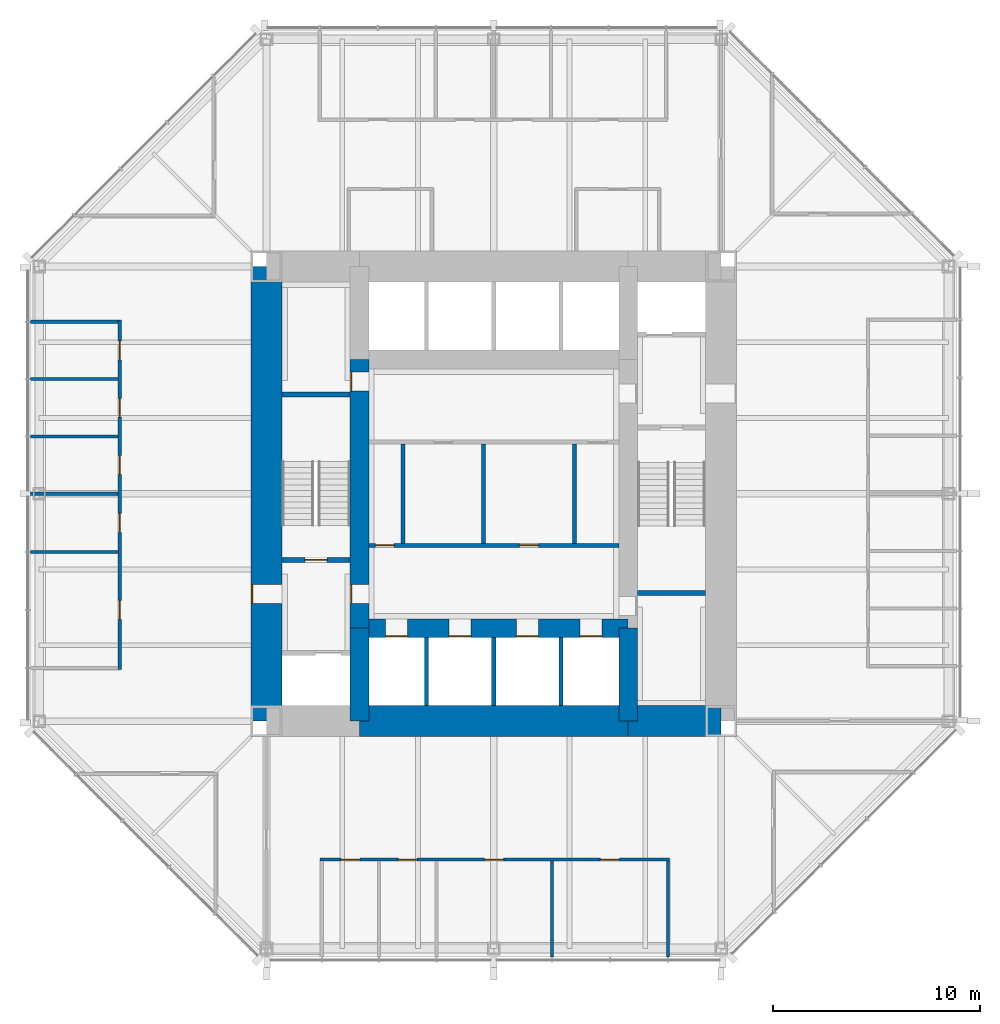
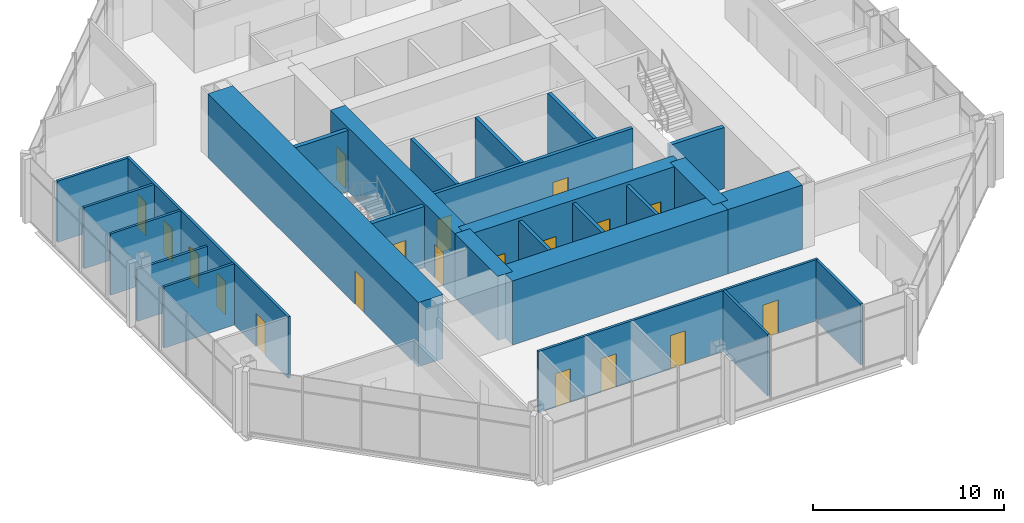
# One storey, part 9 of 12: 26 walls, 19 doors, 19 openings.
"""IFC4 building model written with IfcOpenShell, lengths in metres."""

from ifc_helpers import new_model, si_unit, direction, frame, frame_2d, origin, place, context, subcontext, project, spatial, rectangle, extrude, material, layer, layer_set, type_object, element, fill, save


model = new_model("IFC4")

# Units and contexts
model_context = context("Model", 3, precision=1e-05, world=origin(), true_north=direction((0.0, 1.0)))
body_context = subcontext(model_context, "Body", "Model", "MODEL_VIEW")
ifc_project = project(units=[si_unit("LENGTHUNIT", "METRE"), si_unit("AREAUNIT", "SQUARE_METRE"), si_unit("VOLUMEUNIT", "CUBIC_METRE"), si_unit("PLANEANGLEUNIT", "RADIAN"), si_unit("MASSUNIT", "GRAM", prefix="KILO")], contexts=[model_context])

# Site, building, storey
site_placement = place(None, origin())
site = spatial("IfcSite", under=ifc_project, at=site_placement, CompositionType="ELEMENT")
building_placement = place(site_placement, origin())
building = spatial("IfcBuilding", under=site, at=building_placement, Name="Trevanion Tower", CompositionType="ELEMENT")
storey_placement = place(building_placement, frame((0.0, 0.0, 162.300048828125)))
storey = spatial("IfcBuildingStorey", under=building, at=storey_placement, Name="L38", CompositionType="ELEMENT", Elevation=162.300048828125)

# Wall, opening, door
ifc_material_1 = material(Name="Concrete 10,000 psi", Category="concrete")
ifc_layer_1 = layer(ifc_material_1, 1.5)
ifc_layer_set_1 = layer_set([ifc_layer_1], Name="CW1 core wall 1500")
wall_type_1 = type_object("IfcWallType", Name="CW1 core wall 1500", PredefinedType="SHEAR", material=ifc_layer_set_1)
wall_1_placement = place(storey_placement, frame((-11.0, 11.0, 0.0), z_axis=(0.0, 0.0, 1.0), x_axis=(0.0, -1.0, 0.0)))
wall_1 = element("IfcWall", 1, at=wall_1_placement, inside=storey, type_object=wall_type_1, Name="CW1 CW L38", PredefinedType="SHEAR", context=body_context, shape_type="SweptSolid", body=[
    extrude(rectangle(XDim=22.0, YDim=1.5, at=frame_2d((11.0, 0.0))), origin(), (0.0, 0.0, 1.0), 4.099853515625),
])
opening_1_placement = place(wall_1_placement, frame((15.392578125, 0.0, 0.0)))
opening_1 = element("IfcOpeningElement", 2, at=opening_1_placement, cuts=wall_1, Name="Opening 38-002", PredefinedType="OPENING", context=body_context, shape_type="SweptSolid", body=[
    extrude(rectangle(XDim=0.9150390625, YDim=2.134033203125, at=frame_2d((0.45751953125, 1.06689453125))), frame((0.0, 0.760009765625, 0.0), z_axis=(0.0, -1.0, 0.0), x_axis=(1.0, 0.0, 0.0)), (0.0, 0.0, 1.0), 1.52001953125),
])
ifc_material_2 = material(Name="Hollow metal, fire rated", Category="steel")
door_type_1 = type_object("IfcDoorType", Name="D3 fire lift lobby door", OperationType="SINGLE_SWING_RIGHT", PredefinedType="DOOR", material=ifc_material_2)
door_1_placement = place(opening_1_placement, origin())
door_1 = element("IfcDoor", 3, at=door_1_placement, inside=storey, type_object=door_type_1, Name="Door 38-002", OperationType="SINGLE_SWING_RIGHT", OverallHeight=2.134033203125, OverallWidth=0.9150390625, PredefinedType="DOOR", context=body_context, shape_type="SweptSolid", body=[
    extrude(rectangle(XDim=0.9150390625, YDim=2.134033203125, at=frame_2d((0.45751953125, 1.06689453125))), frame((0.0, -0.6748046875, 0.0), z_axis=(0.0, -1.0, 0.0), x_axis=(1.0, 0.0, 0.0)), (0.0, 0.0, 1.0), 0.050048828125),
])
fill(opening_1, door_1)

# Walls
wall_2_placement = place(storey_placement, frame((-6.5, -11.0, 0.0), z_axis=(0.0, 0.0, 1.0), x_axis=(1.0, 0.0, 0.0)))
element("IfcWall", 4, at=wall_2_placement, inside=storey, type_object=wall_type_1, Name="CW1 CS2 L38", PredefinedType="SHEAR", context=body_context, shape_type="SweptSolid", body=[
    extrude(rectangle(XDim=13.0, YDim=1.5, at=frame_2d((6.5, 0.0))), origin(), (0.0, 0.0, 1.0), 4.099853515625),
])
wall_3_placement = place(storey_placement, frame((6.5, -11.0, 0.0), z_axis=(0.0, 0.0, 1.0), x_axis=(1.0, 0.0, 0.0)))
element("IfcWall", 5, at=wall_3_placement, inside=storey, type_object=wall_type_1, Name="CW1 CS3 L38", PredefinedType="SHEAR", context=body_context, shape_type="SweptSolid", body=[
    extrude(rectangle(XDim=4.5, YDim=1.5, at=frame_2d((2.25, 0.0))), origin(), (0.0, 0.0, 1.0), 4.099853515625),
])
ifc_material_3 = material(Name="Concrete 10,000 psi", Category="concrete")
ifc_layer_2 = layer(ifc_material_3, 0.89990234375)
ifc_layer_set_2 = layer_set([ifc_layer_2], Name="CW2 core wall 900")
wall_type_2 = type_object("IfcWallType", Name="CW2 core wall 900", PredefinedType="SHEAR", material=ifc_layer_set_2)
wall_4_placement = place(storey_placement, frame((6.5, -11.0, 0.0), z_axis=(0.0, 0.0, 1.0), x_axis=(0.0, 1.0, 0.0)))
element("IfcWall", 6, at=wall_4_placement, inside=storey, type_object=wall_type_2, Name="CW2 RE1 L38", PredefinedType="SHEAR", context=body_context, shape_type="SweptSolid", body=[
    extrude(rectangle(XDim=4.5, YDim=0.89990234375, at=frame_2d((2.25, 0.0))), origin(), (0.0, 0.0, 1.0), 4.099853515625),
])

# Wall, openings, doors
wall_5_placement = place(storey_placement, frame((-6.5, 6.5, 0.0), z_axis=(0.0, 0.0, 1.0), x_axis=(0.0, -1.0, 0.0)))
wall_5 = element("IfcWall", 7, at=wall_5_placement, inside=storey, type_object=wall_type_2, Name="CW2 RW2 L38", PredefinedType="SHEAR", context=body_context, shape_type="SweptSolid", body=[
    extrude(rectangle(XDim=13.0, YDim=0.89990234375, at=frame_2d((6.5, 0.0))), origin(), (0.0, 0.0, 1.0), 4.099853515625),
])
opening_2_placement = place(wall_5_placement, frame((10.892578125, 0.0, 0.0)))
opening_2 = element("IfcOpeningElement", 8, at=opening_2_placement, cuts=wall_5, Name="Opening 38-004", PredefinedType="OPENING", context=body_context, shape_type="SweptSolid", body=[
    extrude(rectangle(XDim=0.9150390625, YDim=2.134033203125, at=frame_2d((0.45751953125, 1.06689453125))), frame((0.0, 0.4599609375, 0.0), z_axis=(0.0, -1.0, 0.0), x_axis=(1.0, 0.0, 0.0)), (0.0, 0.0, 1.0), 0.919921875),
])
opening_3_placement = place(wall_5_placement, frame((0.610107421875, 0.0, 0.0)))
opening_3 = element("IfcOpeningElement", 9, at=opening_3_placement, cuts=wall_5, Name="Opening 38-010", PredefinedType="OPENING", context=body_context, shape_type="SweptSolid", body=[
    extrude(rectangle(XDim=0.9150390625, YDim=2.134033203125, at=frame_2d((0.45751953125, 1.06689453125))), frame((0.0, 0.4599609375, 0.0), z_axis=(0.0, -1.0, 0.0), x_axis=(1.0, 0.0, 0.0)), (0.0, 0.0, 1.0), 0.919921875),
])
door_2_placement = place(opening_2_placement, origin())
door_2 = element("IfcDoor", 10, at=door_2_placement, inside=storey, type_object=door_type_1, Name="Door 38-004", OperationType="SINGLE_SWING_RIGHT", OverallHeight=2.134033203125, OverallWidth=0.9150390625, PredefinedType="DOOR", context=body_context, shape_type="SweptSolid", body=[
    extrude(rectangle(XDim=0.9150390625, YDim=2.134033203125, at=frame_2d((0.45751953125, 1.06689453125))), frame((0.0, -0.375, 0.0), z_axis=(0.0, -1.0, 0.0), x_axis=(1.0, 0.0, 0.0)), (0.0, 0.0, 1.0), 0.050048828125),
])
fill(opening_2, door_2)
ifc_material_4 = material(Name="Hollow metal, fire rated", Category="steel")
door_type_2 = type_object("IfcDoorType", Name="D5 service room door", OperationType="SINGLE_SWING_RIGHT", PredefinedType="DOOR", material=ifc_material_4)
door_3_placement = place(opening_3_placement, origin())
door_3 = element("IfcDoor", 11, at=door_3_placement, inside=storey, type_object=door_type_2, Name="Door 38-010", OperationType="SINGLE_SWING_RIGHT", OverallHeight=2.134033203125, OverallWidth=0.9150390625, PredefinedType="DOOR", context=body_context, shape_type="SweptSolid", body=[
    extrude(rectangle(XDim=0.9150390625, YDim=2.134033203125, at=frame_2d((0.45751953125, 1.06689453125))), frame((0.0, -0.375, 0.0), z_axis=(0.0, -1.0, 0.0), x_axis=(1.0, 0.0, 0.0)), (0.0, 0.0, 1.0), 0.050048828125),
])
fill(opening_3, door_3)

# Wall
wall_6_placement = place(storey_placement, frame((-6.5, -6.5, 0.0), z_axis=(0.0, 0.0, 1.0), x_axis=(0.0, -1.0, 0.0)))
element("IfcWall", 12, at=wall_6_placement, inside=storey, type_object=wall_type_2, Name="CW2 RW3 L38", PredefinedType="SHEAR", context=body_context, shape_type="SweptSolid", body=[
    extrude(rectangle(XDim=4.5, YDim=0.89990234375, at=frame_2d((2.25, 0.0))), origin(), (0.0, 0.0, 1.0), 4.099853515625),
])

# Wall, openings, doors
wall_7_placement = place(storey_placement, frame((-6.5, -6.5, 0.0), z_axis=(0.0, 0.0, 1.0), x_axis=(1.0, 0.0, 0.0)))
wall_7 = element("IfcWall", 13, at=wall_7_placement, inside=storey, type_object=wall_type_2, Name="CW2 RS L38", PredefinedType="SHEAR", context=body_context, shape_type="SweptSolid", body=[
    extrude(rectangle(XDim=13.0, YDim=0.89990234375, at=frame_2d((6.5, 0.0))), origin(), (0.0, 0.0, 1.0), 4.099853515625),
])
opening_4_placement = place(wall_7_placement, frame((1.2666015625, 0.0, 0.0)))
opening_4 = element("IfcOpeningElement", 14, at=opening_4_placement, cuts=wall_7, Name="Opening 38-011", PredefinedType="OPENING", context=body_context, shape_type="SweptSolid", body=[
    extrude(rectangle(XDim=1.06689453125, YDim=2.134033203125, at=frame_2d((0.533447265625, 1.06689453125))), frame((0.0, 0.4599609375, 0.0), z_axis=(0.0, -1.0, 0.0), x_axis=(1.0, 0.0, 0.0)), (0.0, 0.0, 1.0), 0.919921875),
])
opening_5_placement = place(wall_7_placement, frame((4.341552734375, 0.0, 0.0)))
opening_5 = element("IfcOpeningElement", 15, at=opening_5_placement, cuts=wall_7, Name="Opening 38-012", PredefinedType="OPENING", context=body_context, shape_type="SweptSolid", body=[
    extrude(rectangle(XDim=1.06689453125, YDim=2.134033203125, at=frame_2d((0.533447265625, 1.06689453125))), frame((0.0, 0.4599609375, 0.0), z_axis=(0.0, -1.0, 0.0), x_axis=(1.0, 0.0, 0.0)), (0.0, 0.0, 1.0), 0.919921875),
])
opening_6_placement = place(wall_7_placement, frame((7.591552734375, 0.0, 0.0)))
opening_6 = element("IfcOpeningElement", 16, at=opening_6_placement, cuts=wall_7, Name="Opening 38-013", PredefinedType="OPENING", context=body_context, shape_type="SweptSolid", body=[
    extrude(rectangle(XDim=1.06689453125, YDim=2.134033203125, at=frame_2d((0.533447265625, 1.06689453125))), frame((0.0, 0.4599609375, 0.0), z_axis=(0.0, -1.0, 0.0), x_axis=(1.0, 0.0, 0.0)), (0.0, 0.0, 1.0), 0.919921875),
])
opening_7_placement = place(wall_7_placement, frame((10.66650390625, 0.0, 0.0)))
opening_7 = element("IfcOpeningElement", 17, at=opening_7_placement, cuts=wall_7, Name="Opening 38-014", PredefinedType="OPENING", context=body_context, shape_type="SweptSolid", body=[
    extrude(rectangle(XDim=1.06689453125, YDim=2.134033203125, at=frame_2d((0.533447265625, 1.06689453125))), frame((0.0, 0.4599609375, 0.0), z_axis=(0.0, -1.0, 0.0), x_axis=(1.0, 0.0, 0.0)), (0.0, 0.0, 1.0), 0.919921875),
])
ifc_material_5 = material(Name="Stainless steel, fire rated", Category="steel")
door_type_3 = type_object("IfcDoorType", Name="LD1 lift landing door", OperationType="SLIDING_TO_LEFT", PredefinedType="DOOR", material=ifc_material_5)
door_4_placement = place(opening_4_placement, origin())
door_4 = element("IfcDoor", 18, at=door_4_placement, inside=storey, type_object=door_type_3, Name="Door 38-011", OperationType="SLIDING_TO_LEFT", OverallHeight=2.134033203125, OverallWidth=1.06689453125, PredefinedType="DOOR", context=body_context, shape_type="SweptSolid", body=[
    extrude(rectangle(XDim=1.06689453125, YDim=2.134033203125, at=frame_2d((0.533447265625, 1.06689453125))), frame((0.0, -0.375, 0.0), z_axis=(0.0, -1.0, 0.0), x_axis=(1.0, 0.0, 0.0)), (0.0, 0.0, 1.0), 0.050048828125),
])
fill(opening_4, door_4)
door_5_placement = place(opening_5_placement, origin())
door_5 = element("IfcDoor", 19, at=door_5_placement, inside=storey, type_object=door_type_3, Name="Door 38-012", OperationType="SLIDING_TO_LEFT", OverallHeight=2.134033203125, OverallWidth=1.06689453125, PredefinedType="DOOR", context=body_context, shape_type="SweptSolid", body=[
    extrude(rectangle(XDim=1.06689453125, YDim=2.134033203125, at=frame_2d((0.533447265625, 1.06689453125))), frame((0.0, -0.375, 0.0), z_axis=(0.0, -1.0, 0.0), x_axis=(1.0, 0.0, 0.0)), (0.0, 0.0, 1.0), 0.050048828125),
])
fill(opening_5, door_5)
door_6_placement = place(opening_6_placement, origin())
door_6 = element("IfcDoor", 20, at=door_6_placement, inside=storey, type_object=door_type_3, Name="Door 38-013", OperationType="SLIDING_TO_LEFT", OverallHeight=2.134033203125, OverallWidth=1.06689453125, PredefinedType="DOOR", context=body_context, shape_type="SweptSolid", body=[
    extrude(rectangle(XDim=1.06689453125, YDim=2.134033203125, at=frame_2d((0.533447265625, 1.06689453125))), frame((0.0, -0.375, 0.0), z_axis=(0.0, -1.0, 0.0), x_axis=(1.0, 0.0, 0.0)), (0.0, 0.0, 1.0), 0.050048828125),
])
fill(opening_6, door_6)
door_7_placement = place(opening_7_placement, origin())
door_7 = element("IfcDoor", 21, at=door_7_placement, inside=storey, type_object=door_type_3, Name="Door 38-014", OperationType="SLIDING_TO_LEFT", OverallHeight=2.134033203125, OverallWidth=1.06689453125, PredefinedType="DOOR", context=body_context, shape_type="SweptSolid", body=[
    extrude(rectangle(XDim=1.06689453125, YDim=2.134033203125, at=frame_2d((0.533447265625, 1.06689453125))), frame((0.0, -0.375, 0.0), z_axis=(0.0, -1.0, 0.0), x_axis=(1.0, 0.0, 0.0)), (0.0, 0.0, 1.0), 0.050048828125),
])
fill(opening_7, door_7)

ifc_material_6 = material(Name="Gypsum board on steel studs", Category="steel")
ifc_layer_3 = layer(ifc_material_6, 0.14990234375)
ifc_layer_set_3 = layer_set([ifc_layer_3], Name="PT1 partition 150")
wall_type_3 = type_object("IfcWallType", Name="PT1 partition 150", PredefinedType="PARTITIONING", material=ifc_layer_set_3)
wall_8_placement = place(storey_placement, frame((-18.10009765625, 8.39794921875, 0.0), z_axis=(0.0, 0.0, 1.0), x_axis=(0.0, -1.0, 0.0)))
wall_8 = element("IfcWall", 22, at=wall_8_placement, inside=storey, type_object=wall_type_3, Name="PT1 L38 FC2F", PredefinedType="PARTITIONING", context=body_context, shape_type="SweptSolid", body=[
    extrude(rectangle(XDim=16.89404296875, YDim=0.14990234375, at=frame_2d((8.447021484375, 0.0))), origin(), (0.0, 0.0, 1.0), 3.909912109375),
])
opening_8_placement = place(wall_8_placement, frame((1.00439453125, 0.0, 0.0)))
opening_8 = element("IfcOpeningElement", 23, at=opening_8_placement, cuts=wall_8, Name="Opening 38-035", PredefinedType="OPENING", context=body_context, shape_type="SweptSolid", body=[
    extrude(rectangle(XDim=0.9150390625, YDim=2.134033203125, at=frame_2d((0.45751953125, 1.06689453125))), frame((0.0, 0.0849609375, 0.0), z_axis=(0.0, -1.0, 0.0), x_axis=(1.0, 0.0, 0.0)), (0.0, 0.0, 1.0), 0.169921875),
])
opening_9_placement = place(wall_8_placement, frame((3.778564453125, 0.0, 0.0)))
opening_9 = element("IfcOpeningElement", 24, at=opening_9_placement, cuts=wall_8, Name="Opening 38-036", PredefinedType="OPENING", context=body_context, shape_type="SweptSolid", body=[
    extrude(rectangle(XDim=0.9150390625, YDim=2.134033203125, at=frame_2d((0.45751953125, 1.06689453125))), frame((0.0, 0.0849609375, 0.0), z_axis=(0.0, -1.0, 0.0), x_axis=(1.0, 0.0, 0.0)), (0.0, 0.0, 1.0), 0.169921875),
])
opening_10_placement = place(wall_8_placement, frame((6.552978515625, 0.0, 0.0)))
opening_10 = element("IfcOpeningElement", 25, at=opening_10_placement, cuts=wall_8, Name="Opening 38-037", PredefinedType="OPENING", context=body_context, shape_type="SweptSolid", body=[
    extrude(rectangle(XDim=0.9150390625, YDim=2.134033203125, at=frame_2d((0.45751953125, 1.06689453125))), frame((0.0, 0.0849609375, 0.0), z_axis=(0.0, -1.0, 0.0), x_axis=(1.0, 0.0, 0.0)), (0.0, 0.0, 1.0), 0.169921875),
])
opening_11_placement = place(wall_8_placement, frame((9.343994140625, 0.0, 0.0)))
opening_11 = element("IfcOpeningElement", 26, at=opening_11_placement, cuts=wall_8, Name="Opening 38-038", PredefinedType="OPENING", context=body_context, shape_type="SweptSolid", body=[
    extrude(rectangle(XDim=0.9150390625, YDim=2.134033203125, at=frame_2d((0.45751953125, 1.06689453125))), frame((0.0, 0.0849609375, 0.0), z_axis=(0.0, -1.0, 0.0), x_axis=(1.0, 0.0, 0.0)), (0.0, 0.0, 1.0), 0.169921875),
])
opening_12_placement = place(wall_8_placement, frame((13.554443359375, 0.0, 0.0)))
opening_12 = element("IfcOpeningElement", 27, at=opening_12_placement, cuts=wall_8, Name="Opening 38-039", PredefinedType="OPENING", context=body_context, shape_type="SweptSolid", body=[
    extrude(rectangle(XDim=0.9150390625, YDim=2.134033203125, at=frame_2d((0.45751953125, 1.06689453125))), frame((0.0, 0.0849609375, 0.0), z_axis=(0.0, -1.0, 0.0), x_axis=(1.0, 0.0, 0.0)), (0.0, 0.0, 1.0), 0.169921875),
])
ifc_material_7 = material(Name="Timber veneer, solid core", Category="wood")
door_type_4 = type_object("IfcDoorType", Name="D1 office and meeting room door", OperationType="SINGLE_SWING_LEFT", PredefinedType="DOOR", material=ifc_material_7)
door_8_placement = place(opening_8_placement, origin())
door_8 = element("IfcDoor", 28, at=door_8_placement, inside=storey, type_object=door_type_4, Name="Door 38-035", OperationType="SINGLE_SWING_LEFT", OverallHeight=2.134033203125, OverallWidth=0.9150390625, PredefinedType="DOOR", context=body_context, shape_type="SweptSolid", body=[
    extrude(rectangle(XDim=0.9150390625, YDim=2.134033203125, at=frame_2d((0.45751953125, 1.06689453125))), frame((0.0, 0.02490234375, 0.0), z_axis=(0.0, -1.0, 0.0), x_axis=(1.0, 0.0, 0.0)), (0.0, 0.0, 1.0), 0.050048828125),
])
fill(opening_8, door_8)
door_9_placement = place(opening_9_placement, origin())
door_9 = element("IfcDoor", 29, at=door_9_placement, inside=storey, type_object=door_type_4, Name="Door 38-036", OperationType="SINGLE_SWING_LEFT", OverallHeight=2.134033203125, OverallWidth=0.9150390625, PredefinedType="DOOR", context=body_context, shape_type="SweptSolid", body=[
    extrude(rectangle(XDim=0.9150390625, YDim=2.134033203125, at=frame_2d((0.45751953125, 1.06689453125))), frame((0.0, 0.02490234375, 0.0), z_axis=(0.0, -1.0, 0.0), x_axis=(1.0, 0.0, 0.0)), (0.0, 0.0, 1.0), 0.050048828125),
])
fill(opening_9, door_9)
door_10_placement = place(opening_10_placement, origin())
door_10 = element("IfcDoor", 30, at=door_10_placement, inside=storey, type_object=door_type_4, Name="Door 38-037", OperationType="SINGLE_SWING_LEFT", OverallHeight=2.134033203125, OverallWidth=0.9150390625, PredefinedType="DOOR", context=body_context, shape_type="SweptSolid", body=[
    extrude(rectangle(XDim=0.9150390625, YDim=2.134033203125, at=frame_2d((0.45751953125, 1.06689453125))), frame((0.0, 0.02490234375, 0.0), z_axis=(0.0, -1.0, 0.0), x_axis=(1.0, 0.0, 0.0)), (0.0, 0.0, 1.0), 0.050048828125),
])
fill(opening_10, door_10)
door_11_placement = place(opening_11_placement, origin())
door_11 = element("IfcDoor", 31, at=door_11_placement, inside=storey, type_object=door_type_4, Name="Door 38-038", OperationType="SINGLE_SWING_LEFT", OverallHeight=2.134033203125, OverallWidth=0.9150390625, PredefinedType="DOOR", context=body_context, shape_type="SweptSolid", body=[
    extrude(rectangle(XDim=0.9150390625, YDim=2.134033203125, at=frame_2d((0.45751953125, 1.06689453125))), frame((0.0, 0.02490234375, 0.0), z_axis=(0.0, -1.0, 0.0), x_axis=(1.0, 0.0, 0.0)), (0.0, 0.0, 1.0), 0.050048828125),
])
fill(opening_11, door_11)
door_12_placement = place(opening_12_placement, origin())
door_12 = element("IfcDoor", 32, at=door_12_placement, inside=storey, type_object=door_type_4, Name="Door 38-039", OperationType="SINGLE_SWING_LEFT", OverallHeight=2.134033203125, OverallWidth=0.9150390625, PredefinedType="DOOR", context=body_context, shape_type="SweptSolid", body=[
    extrude(rectangle(XDim=0.9150390625, YDim=2.134033203125, at=frame_2d((0.45751953125, 1.06689453125))), frame((0.0, 0.02490234375, 0.0), z_axis=(0.0, -1.0, 0.0), x_axis=(1.0, 0.0, 0.0)), (0.0, 0.0, 1.0), 0.050048828125),
])
fill(opening_12, door_12)

# Walls
for number, where, z_axis, x_axis, name in (
    (33, (-18.175048828125, 8.322998046875, 0.0), (0.0, 0.0, 1.0), (-1.0, 0.0, 0.0), "PT1 L38 FC2S0"),
    (34, (-18.175048828125, 5.549072265625, 0.0), (0.0, 0.0, 1.0), (-1.0, 0.0, 0.0), "PT1 L38 FC2S1"),
    (35, (-18.175048828125, 2.77490234375, 0.0), (0.0, 0.0, 1.0), (-1.0, 0.0, 0.0), "PT1 L38 FC2S2"),
):
    element("IfcWall", number, at=place(storey_placement, frame(where, z_axis=z_axis, x_axis=x_axis)), inside=storey, type_object=wall_type_3, Name=name, PredefinedType="PARTITIONING", context=body_context, shape_type="SweptSolid", body=[
        extrude(rectangle(XDim=4.239990234375, YDim=0.14990234375, at=frame_2d((2.1201171875, 0.0))), origin(), (0.0, 0.0, 1.0), 3.909912109375),
    ])
wall_9_placement = place(storey_placement, frame((-18.175048828125, 0.0, 0.0), z_axis=(0.0, 0.0, 1.0), x_axis=(-1.0, 0.0, 0.0)))
element("IfcWall", 36, at=wall_9_placement, inside=storey, type_object=wall_type_3, Name="PT1 L38 FC2S3", PredefinedType="PARTITIONING", context=body_context, shape_type="SweptSolid", body=[
    extrude(rectangle(XDim=4.239990234375, YDim=0.14990234375, at=frame_2d((2.1201171875, 0.0))), origin(), (0.0, 0.0, 1.0), 3.32568359375),
])
wall_10_placement = place(storey_placement, frame((-18.175048828125, -2.806884765625, 0.0), z_axis=(0.0, 0.0, 1.0), x_axis=(-1.0, 0.0, 0.0)))
element("IfcWall", 37, at=wall_10_placement, inside=storey, type_object=wall_type_3, Name="PT1 L38 FC2S4", PredefinedType="PARTITIONING", context=body_context, shape_type="SweptSolid", body=[
    extrude(rectangle(XDim=4.239990234375, YDim=0.14990234375, at=frame_2d((2.1201171875, 0.0))), origin(), (0.0, 0.0, 1.0), 3.909912109375),
])

# Wall, openings, doors
wall_11_placement = place(storey_placement, frame((-8.39794921875, -17.699951171875, 0.0), z_axis=(0.0, 0.0, 1.0), x_axis=(1.0, 0.0, 0.0)))
wall_11 = element("IfcWall", 38, at=wall_11_placement, inside=storey, type_object=wall_type_3, Name="PT1 L38 FC3F", PredefinedType="PARTITIONING", context=body_context, shape_type="SweptSolid", body=[
    extrude(rectangle(XDim=16.89404296875, YDim=0.14990234375, at=frame_2d((8.447021484375, 0.0))), origin(), (0.0, 0.0, 1.0), 3.909912109375),
])
opening_13_placement = place(wall_11_placement, frame((1.00439453125, 0.0, 0.0)))
opening_13 = element("IfcOpeningElement", 39, at=opening_13_placement, cuts=wall_11, Name="Opening 38-040", PredefinedType="OPENING", context=body_context, shape_type="SweptSolid", body=[
    extrude(rectangle(XDim=0.9150390625, YDim=2.134033203125, at=frame_2d((0.45751953125, 1.06689453125))), frame((0.0, 0.0849609375, 0.0), z_axis=(0.0, -1.0, 0.0), x_axis=(1.0, 0.0, 0.0)), (0.0, 0.0, 1.0), 0.169921875),
])
opening_14_placement = place(wall_11_placement, frame((3.778564453125, 0.0, 0.0)))
opening_14 = element("IfcOpeningElement", 40, at=opening_14_placement, cuts=wall_11, Name="Opening 38-041", PredefinedType="OPENING", context=body_context, shape_type="SweptSolid", body=[
    extrude(rectangle(XDim=0.9150390625, YDim=2.134033203125, at=frame_2d((0.45751953125, 1.06689453125))), frame((0.0, 0.0849609375, 0.0), z_axis=(0.0, -1.0, 0.0), x_axis=(1.0, 0.0, 0.0)), (0.0, 0.0, 1.0), 0.169921875),
])
opening_15_placement = place(wall_11_placement, frame((7.95654296875, 0.0, 0.0)))
opening_15 = element("IfcOpeningElement", 41, at=opening_15_placement, cuts=wall_11, Name="Opening 38-042", PredefinedType="OPENING", context=body_context, shape_type="SweptSolid", body=[
    extrude(rectangle(XDim=0.9150390625, YDim=2.134033203125, at=frame_2d((0.45751953125, 1.06689453125))), frame((0.0, 0.0849609375, 0.0), z_axis=(0.0, -1.0, 0.0), x_axis=(1.0, 0.0, 0.0)), (0.0, 0.0, 1.0), 0.169921875),
])
opening_16_placement = place(wall_11_placement, frame((13.554443359375, 0.0, 0.0)))
opening_16 = element("IfcOpeningElement", 42, at=opening_16_placement, cuts=wall_11, Name="Opening 38-043", PredefinedType="OPENING", context=body_context, shape_type="SweptSolid", body=[
    extrude(rectangle(XDim=0.9150390625, YDim=2.134033203125, at=frame_2d((0.45751953125, 1.06689453125))), frame((0.0, 0.0849609375, 0.0), z_axis=(0.0, -1.0, 0.0), x_axis=(1.0, 0.0, 0.0)), (0.0, 0.0, 1.0), 0.169921875),
])
door_13_placement = place(opening_13_placement, origin())
door_13 = element("IfcDoor", 43, at=door_13_placement, inside=storey, type_object=door_type_4, Name="Door 38-040", OperationType="SINGLE_SWING_LEFT", OverallHeight=2.134033203125, OverallWidth=0.9150390625, PredefinedType="DOOR", context=body_context, shape_type="SweptSolid", body=[
    extrude(rectangle(XDim=0.9150390625, YDim=2.134033203125, at=frame_2d((0.45751953125, 1.06689453125))), frame((0.0, 0.02490234375, 0.0), z_axis=(0.0, -1.0, 0.0), x_axis=(1.0, 0.0, 0.0)), (0.0, 0.0, 1.0), 0.050048828125),
])
fill(opening_13, door_13)
door_14_placement = place(opening_14_placement, origin())
door_14 = element("IfcDoor", 44, at=door_14_placement, inside=storey, type_object=door_type_4, Name="Door 38-041", OperationType="SINGLE_SWING_LEFT", OverallHeight=2.134033203125, OverallWidth=0.9150390625, PredefinedType="DOOR", context=body_context, shape_type="SweptSolid", body=[
    extrude(rectangle(XDim=0.9150390625, YDim=2.134033203125, at=frame_2d((0.45751953125, 1.06689453125))), frame((0.0, 0.02490234375, 0.0), z_axis=(0.0, -1.0, 0.0), x_axis=(1.0, 0.0, 0.0)), (0.0, 0.0, 1.0), 0.050048828125),
])
fill(opening_14, door_14)
door_15_placement = place(opening_15_placement, origin())
door_15 = element("IfcDoor", 45, at=door_15_placement, inside=storey, type_object=door_type_4, Name="Door 38-042", OperationType="SINGLE_SWING_LEFT", OverallHeight=2.134033203125, OverallWidth=0.9150390625, PredefinedType="DOOR", context=body_context, shape_type="SweptSolid", body=[
    extrude(rectangle(XDim=0.9150390625, YDim=2.134033203125, at=frame_2d((0.45751953125, 1.06689453125))), frame((0.0, 0.02490234375, 0.0), z_axis=(0.0, -1.0, 0.0), x_axis=(1.0, 0.0, 0.0)), (0.0, 0.0, 1.0), 0.050048828125),
])
fill(opening_15, door_15)
door_16_placement = place(opening_16_placement, origin())
door_16 = element("IfcDoor", 46, at=door_16_placement, inside=storey, type_object=door_type_4, Name="Door 38-043", OperationType="SINGLE_SWING_LEFT", OverallHeight=2.134033203125, OverallWidth=0.9150390625, PredefinedType="DOOR", context=body_context, shape_type="SweptSolid", body=[
    extrude(rectangle(XDim=0.9150390625, YDim=2.134033203125, at=frame_2d((0.45751953125, 1.06689453125))), frame((0.0, 0.02490234375, 0.0), z_axis=(0.0, -1.0, 0.0), x_axis=(1.0, 0.0, 0.0)), (0.0, 0.0, 1.0), 0.050048828125),
])
fill(opening_16, door_16)

# Walls
for number, where, z_axis, x_axis, name in (
    (47, (2.806884765625, -17.77490234375, 0.0), (0.0, 0.0, 1.0), (0.0, -1.0, 0.0), "PT1 L38 FC3S4"),
    (48, (8.4208984375, -17.77490234375, 0.0), (0.0, 0.0, 1.0), (0.0, -1.0, 0.0), "PT1 L38 FC3S6"),
):
    element("IfcWall", number, at=place(storey_placement, frame(where, z_axis=z_axis, x_axis=x_axis)), inside=storey, type_object=wall_type_3, Name=name, PredefinedType="PARTITIONING", context=body_context, shape_type="SweptSolid", body=[
        extrude(rectangle(XDim=4.64013671875, YDim=0.14990234375, at=frame_2d((2.320068359375, 0.0))), origin(), (0.0, 0.0, 1.0), 3.909912109375),
    ])
ifc_material_8 = material(Name="Concrete masonry, grouted", Category="masonry")
ifc_layer_4 = layer(ifc_material_8, 0.199951171875)
ifc_layer_set_4 = layer_set([ifc_layer_4], Name="PT2 partition 200")
wall_type_4 = type_object("IfcWallType", Name="PT2 partition 200", PredefinedType="PARTITIONING", material=ifc_layer_set_4)
for number, where, z_axis, x_axis, name in (
    (49, (-4.39990234375, -2.39990234375, 0.0), (0.0, 0.0, 1.0), (0.0, 1.0, 0.0), "PT2 L38 TP1"),
    (50, (-0.5, -2.39990234375, 0.0), (0.0, 0.0, 1.0), (0.0, 1.0, 0.0), "PT2 L38 TP2"),
    (51, (3.89990234375, -2.39990234375, 0.0), (0.0, 0.0, 1.0), (0.0, 1.0, 0.0), "PT2 L38 TP3"),
):
    element("IfcWall", number, at=place(storey_placement, frame(where, z_axis=z_axis, x_axis=x_axis)), inside=storey, type_object=wall_type_4, Name=name, PredefinedType="PARTITIONING", context=body_context, shape_type="SweptSolid", body=[
        extrude(rectangle(XDim=4.7998046875, YDim=0.199951171875, at=frame_2d((2.39990234375, 0.0))), origin(), (0.0, 0.0, 1.0), 3.909912109375),
    ])

# Wall, openings, doors
ifc_material_9 = material(Name="Concrete masonry, grouted", Category="masonry")
ifc_layer_5 = layer(ifc_material_9, 0.199951171875)
ifc_layer_set_5 = layer_set([ifc_layer_5], Name="PT2 partition 200 1 HR")
wall_type_5 = type_object("IfcWallType", Name="PT2 partition 200 1 HR", PredefinedType="PARTITIONING", material=ifc_layer_set_5)
wall_12_placement = place(storey_placement, frame((6.050048828125, -2.5, 0.0), z_axis=(0.0, 0.0, 1.0), x_axis=(-1.0, 0.0, 0.0)))
wall_12 = element("IfcWall", 52, at=wall_12_placement, inside=storey, type_object=wall_type_5, Name="PT2 L38 CP2", PredefinedType="PARTITIONING", context=body_context, shape_type="SweptSolid", body=[
    extrude(rectangle(XDim=12.10009765625, YDim=0.199951171875, at=frame_2d((6.050048828125, 0.0))), origin(), (0.0, 0.0, 1.0), 3.909912109375),
])
opening_17_placement = place(wall_12_placement, frame((10.867431640625, 0.0, 0.0)))
opening_17 = element("IfcOpeningElement", 53, at=opening_17_placement, cuts=wall_12, Name="Opening 38-015", PredefinedType="OPENING", context=body_context, shape_type="SweptSolid", body=[
    extrude(rectangle(XDim=0.9150390625, YDim=2.134033203125, at=frame_2d((0.45751953125, 1.06689453125))), frame((0.0, 0.10986328125, 0.0), z_axis=(0.0, -1.0, 0.0), x_axis=(1.0, 0.0, 0.0)), (0.0, 0.0, 1.0), 0.219970703125),
])
opening_18_placement = place(wall_12_placement, frame((3.892578125, 0.0, 0.0)))
opening_18 = element("IfcOpeningElement", 54, at=opening_18_placement, cuts=wall_12, Name="Opening 38-017", PredefinedType="OPENING", context=body_context, shape_type="SweptSolid", body=[
    extrude(rectangle(XDim=0.9150390625, YDim=2.134033203125, at=frame_2d((0.45751953125, 1.06689453125))), frame((0.0, 0.10986328125, 0.0), z_axis=(0.0, -1.0, 0.0), x_axis=(1.0, 0.0, 0.0)), (0.0, 0.0, 1.0), 0.219970703125),
])
ifc_material_10 = material(Name="Plastic laminate on fire-rated core", Category="wood")
door_type_5 = type_object("IfcDoorType", Name="D12 toilet door in a one hour wall", OperationType="SINGLE_SWING_LEFT", PredefinedType="DOOR", material=ifc_material_10)
door_17_placement = place(opening_18_placement, origin())
door_17 = element("IfcDoor", 55, at=door_17_placement, inside=storey, type_object=door_type_5, Name="Door 38-017", OperationType="SINGLE_SWING_LEFT", OverallHeight=2.134033203125, OverallWidth=0.9150390625, PredefinedType="DOOR", context=body_context, shape_type="SweptSolid", body=[
    extrude(rectangle(XDim=0.9150390625, YDim=2.134033203125, at=frame_2d((0.45751953125, 1.06689453125))), frame((0.0, 0.02490234375, 0.0), z_axis=(0.0, -1.0, 0.0), x_axis=(1.0, 0.0, 0.0)), (0.0, 0.0, 1.0), 0.050048828125),
])
fill(opening_18, door_17)
door_18_placement = place(opening_17_placement, origin())
door_18 = element("IfcDoor", 56, at=door_18_placement, inside=storey, type_object=door_type_2, Name="Door 38-015", OperationType="SINGLE_SWING_RIGHT", OverallHeight=2.134033203125, OverallWidth=0.9150390625, PredefinedType="DOOR", context=body_context, shape_type="SweptSolid", body=[
    extrude(rectangle(XDim=0.9150390625, YDim=2.134033203125, at=frame_2d((0.45751953125, 1.06689453125))), frame((0.0, 0.02490234375, 0.0), z_axis=(0.0, -1.0, 0.0), x_axis=(1.0, 0.0, 0.0)), (0.0, 0.0, 1.0), 0.050048828125),
])
fill(opening_17, door_18)

# Walls
ifc_material_11 = material(Name="Concrete masonry, grouted", Category="masonry")
ifc_layer_6 = layer(ifc_material_11, 0.199951171875)
ifc_layer_set_6 = layer_set([ifc_layer_6], Name="PT2 partition 200 2 HR")
wall_type_6 = type_object("IfcWallType", Name="PT2 partition 200 2 HR", PredefinedType="PARTITIONING", material=ifc_layer_set_6)
for number, where, z_axis, x_axis, name in (
    (57, (-3.25, -10.25, 0.0), (0.0, 0.0, 1.0), (0.0, 1.0, 0.0), "PT2 L38 SS0"),
    (58, (0.0, -10.25, 0.0), (0.0, 0.0, 1.0), (0.0, 1.0, 0.0), "PT2 L38 SS1"),
    (59, (3.25, -10.25, 0.0), (0.0, 0.0, 1.0), (0.0, 1.0, 0.0), "PT2 L38 SS2"),
):
    element("IfcWall", number, at=place(storey_placement, frame(where, z_axis=z_axis, x_axis=x_axis)), inside=storey, type_object=wall_type_6, Name=name, PredefinedType="PARTITIONING", context=body_context, shape_type="SweptSolid", body=[
        extrude(rectangle(XDim=3.300048828125, YDim=0.199951171875, at=frame_2d((1.64990234375, 0.0))), origin(), (0.0, 0.0, 1.0), 3.909912109375),
    ])
ifc_material_12 = material(Name="Reinforced masonry, fully grouted", Category="masonry")
ifc_layer_7 = layer(ifc_material_12, 0.25)
ifc_layer_set_7 = layer_set([ifc_layer_7], Name="SW1 stair shaft wall 250")
wall_type_7 = type_object("IfcWallType", Name="SW1 stair shaft wall 250", PredefinedType="SOLIDWALL", material=ifc_layer_set_7)
for number, where, z_axis, x_axis, name in (
    (60, (6.949951171875, -4.800048828125, 0.0), (0.0, 0.0, 1.0), (1.0, 0.0, 0.0), "SW1 L38 EP1"),
    (61, (-6.949951171875, 4.800048828125, 0.0), (0.0, 0.0, 1.0), (-1.0, 0.0, 0.0), "SW1 L38 WP1"),
):
    element("IfcWall", number, at=place(storey_placement, frame(where, z_axis=z_axis, x_axis=x_axis)), inside=storey, type_object=wall_type_7, Name=name, PredefinedType="SOLIDWALL", context=body_context, shape_type="SweptSolid", body=[
        extrude(rectangle(XDim=3.300048828125, YDim=0.25, at=frame_2d((1.64990234375, 0.0))), origin(), (0.0, 0.0, 1.0), 3.909912109375),
    ])

# Wall, opening, door
wall_13_placement = place(storey_placement, frame((-6.949951171875, -3.199951171875, 0.0), z_axis=(0.0, 0.0, 1.0), x_axis=(-1.0, 0.0, 0.0)))
wall_13 = element("IfcWall", 62, at=wall_13_placement, inside=storey, type_object=wall_type_7, Name="SW1 L38 WP2", PredefinedType="SOLIDWALL", context=body_context, shape_type="SweptSolid", body=[
    extrude(rectangle(XDim=3.300048828125, YDim=0.25, at=frame_2d((1.64990234375, 0.0))), origin(), (0.0, 0.0, 1.0), 3.909912109375),
])
opening_19_placement = place(wall_13_placement, frame((1.116455078125, 0.0, 0.0)))
opening_19 = element("IfcOpeningElement", 63, at=opening_19_placement, cuts=wall_13, Name="Opening 38-006", PredefinedType="OPENING", context=body_context, shape_type="SweptSolid", body=[
    extrude(rectangle(XDim=1.06689453125, YDim=2.134033203125, at=frame_2d((0.533447265625, 1.06689453125))), frame((0.0, 0.135009765625, 0.0), z_axis=(0.0, -1.0, 0.0), x_axis=(1.0, 0.0, 0.0)), (0.0, 0.0, 1.0), 0.27001953125),
])
ifc_material_13 = material(Name="Hollow metal, fire rated", Category="steel")
door_type_6 = type_object("IfcDoorType", Name="D2 exit stair door", OperationType="SINGLE_SWING_LEFT", PredefinedType="DOOR", material=ifc_material_13)
door_19_placement = place(opening_19_placement, origin())
door_19 = element("IfcDoor", 64, at=door_19_placement, inside=storey, type_object=door_type_6, Name="Door 38-006", OperationType="SINGLE_SWING_LEFT", OverallHeight=2.134033203125, OverallWidth=1.06689453125, PredefinedType="DOOR", context=body_context, shape_type="SweptSolid", body=[
    extrude(rectangle(XDim=1.06689453125, YDim=2.134033203125, at=frame_2d((0.533447265625, 1.06689453125))), frame((0.0, 0.02490234375, 0.0), z_axis=(0.0, -1.0, 0.0), x_axis=(1.0, 0.0, 0.0)), (0.0, 0.0, 1.0), 0.050048828125),
])
fill(opening_19, door_19)

save(model, "model.ifc")
